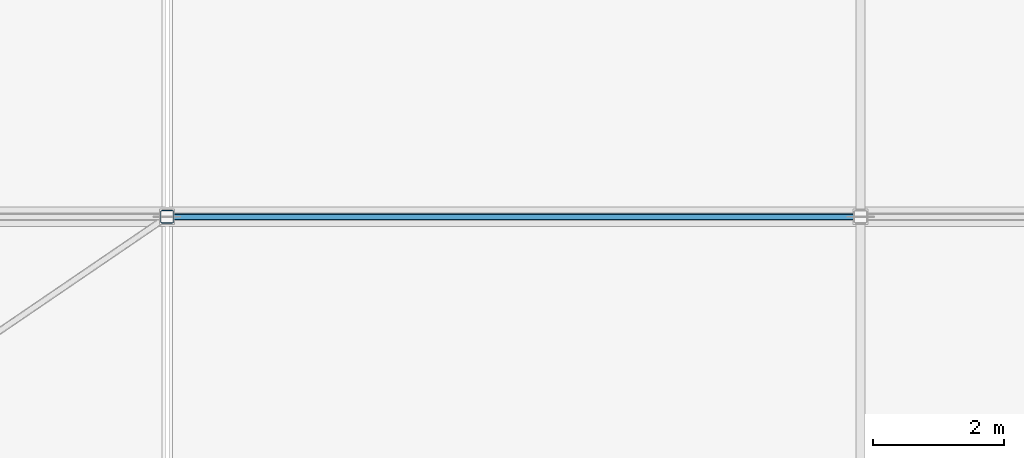
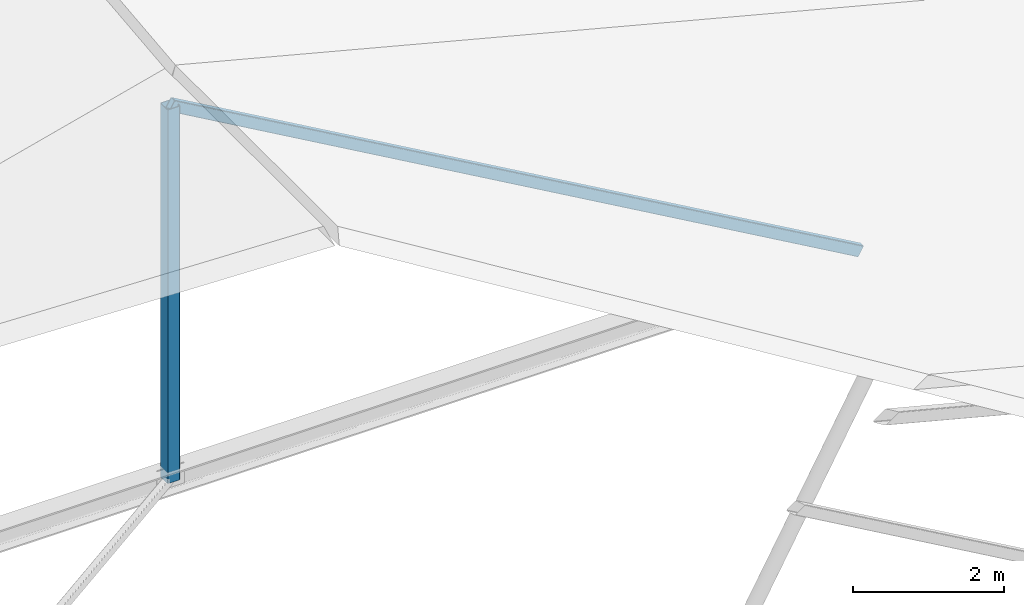
# One storey, part 19 of 56: 2 members.
"""IFC4 building model written with IfcOpenShell, lengths in metres."""

from ifc_helpers import new_model, si_unit, direction, frame, origin, origin_2d, place, context, subcontext, project, spatial, hollow_rectangle, extrude, material, material_profile, profile_set, type_object, element, save


model = new_model("IFC4")

# Units and contexts
model_context = context("Model", 3, precision=1e-05, world=origin(), true_north=direction((0.0, 1.0)))
body_context = subcontext(model_context, "Body", "Model", "MODEL_VIEW")
ifc_project = project(units=[si_unit("LENGTHUNIT", "METRE"), si_unit("AREAUNIT", "SQUARE_METRE"), si_unit("VOLUMEUNIT", "CUBIC_METRE"), si_unit("PLANEANGLEUNIT", "RADIAN"), si_unit("MASSUNIT", "GRAM", prefix="KILO")], contexts=[model_context])

# Site, building, storey
site_placement = place(None, origin())
site = spatial("IfcSite", under=ifc_project, at=site_placement, CompositionType="ELEMENT")
building_placement = place(site_placement, origin())
building = spatial("IfcBuilding", under=site, at=building_placement, Name="Bozkorgan Art Gallery", CompositionType="ELEMENT")
storey_placement = place(building_placement, frame((0.0, 0.0, 24.0)))
storey = spatial("IfcBuildingStorey", under=building, at=storey_placement, Name="L05", CompositionType="ELEMENT", Elevation=24.0)

# Members
ifc_material = material(Name="Steel S355J2", Category="steel")
ifc_material_profile_1 = material_profile(ifc_material, hollow_rectangle(XDim=0.199951171875, YDim=0.199951171875, WallThickness=0.010009765625, InnerFilletRadius=0.014892578125, OuterFilletRadius=0.02490234375, at=origin_2d()), Name="SHS 200x200x10")
ifc_profile_set_1 = profile_set([ifc_material_profile_1], Name="Steel S355J2")
member_type_1 = type_object("IfcMemberType", Name="MEMBER-TP-32", PredefinedType="POST", material=ifc_profile_set_1)
member_1_placement = place(storey_placement, frame((87.5, 75.199951171875, 0.179931640625), z_axis=(0.0, 0.0, 1.0), x_axis=(1.0, 0.0, 0.0)))
element("IfcMember", 1, at=member_1_placement, inside=storey, type_object=member_type_1, Name="ROOF-V4-MAIN roof truss 4 post 3", PredefinedType="POST", context=body_context, shape_type="SweptSolid", body=[
    extrude(hollow_rectangle(XDim=0.199951171875, YDim=0.199951171875, WallThickness=0.010009765625, InnerFilletRadius=0.014892578125, OuterFilletRadius=0.02490234375, at=origin_2d()), origin(), (0.0, 0.0, 1.0), 6.049560546875),
])
ifc_material_profile_2 = material_profile(ifc_material, hollow_rectangle(XDim=0.10009765625, YDim=0.179931640625, WallThickness=0.008056640625, InnerFilletRadius=0.011962890625, OuterFilletRadius=0.02001953125, at=origin_2d()), Name="RHS 180x100x8")
ifc_profile_set_2 = profile_set([ifc_material_profile_2], Name="Steel S355J2")
member_type_2 = type_object("IfcMemberType", Name="MEMBER-TW-22", PredefinedType="BRACE", material=ifc_profile_set_2)
member_2_placement = place(storey_placement, frame((87.5, 75.199951171875, 6.2294921875), z_axis=(0.867499704855, 0.0, -0.497437696679), x_axis=(0.0, 1.0, 0.0)))
element("IfcMember", 2, at=member_2_placement, inside=storey, type_object=member_type_2, Name="ROOF-V4-MAIN roof truss 4 diagonal 4", PredefinedType="BRACE", context=body_context, shape_type="SweptSolid", body=[
    extrude(hollow_rectangle(XDim=0.10009765625, YDim=0.179931640625, WallThickness=0.008056640625, InnerFilletRadius=0.011962890625, OuterFilletRadius=0.02001953125, at=origin_2d()), origin(), (0.0, 0.0, 1.0), 12.161376953125),
])

save(model, "model.ifc")
